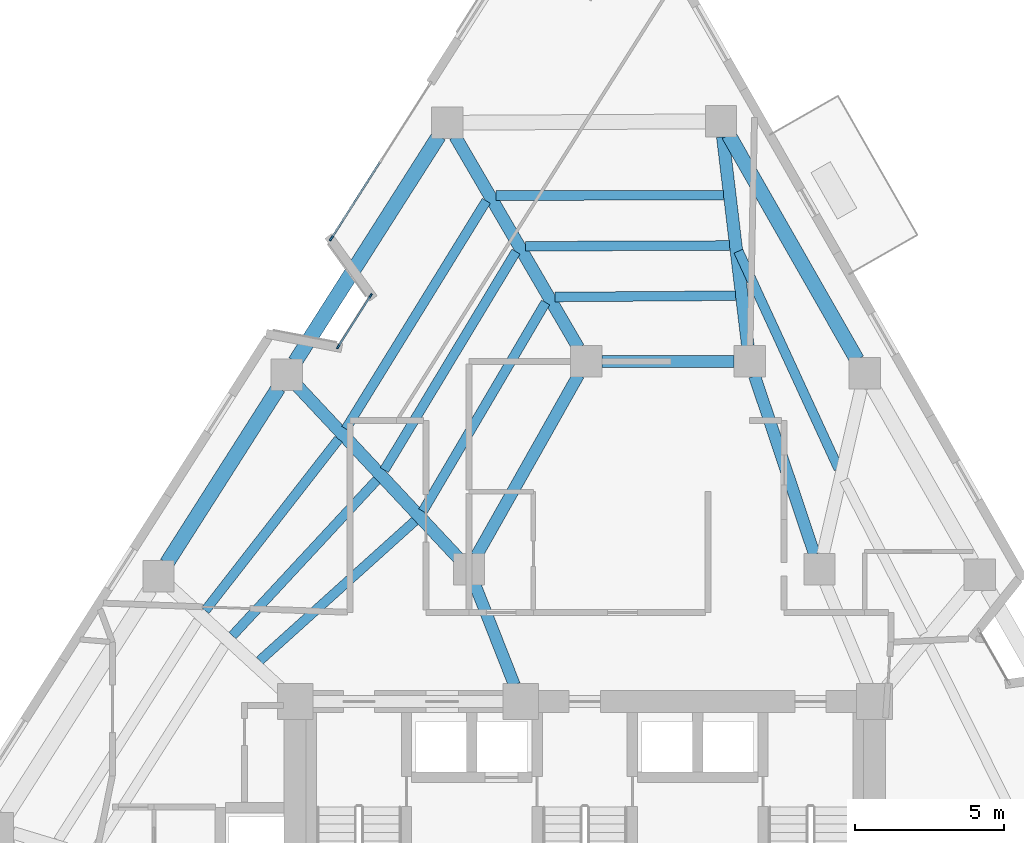
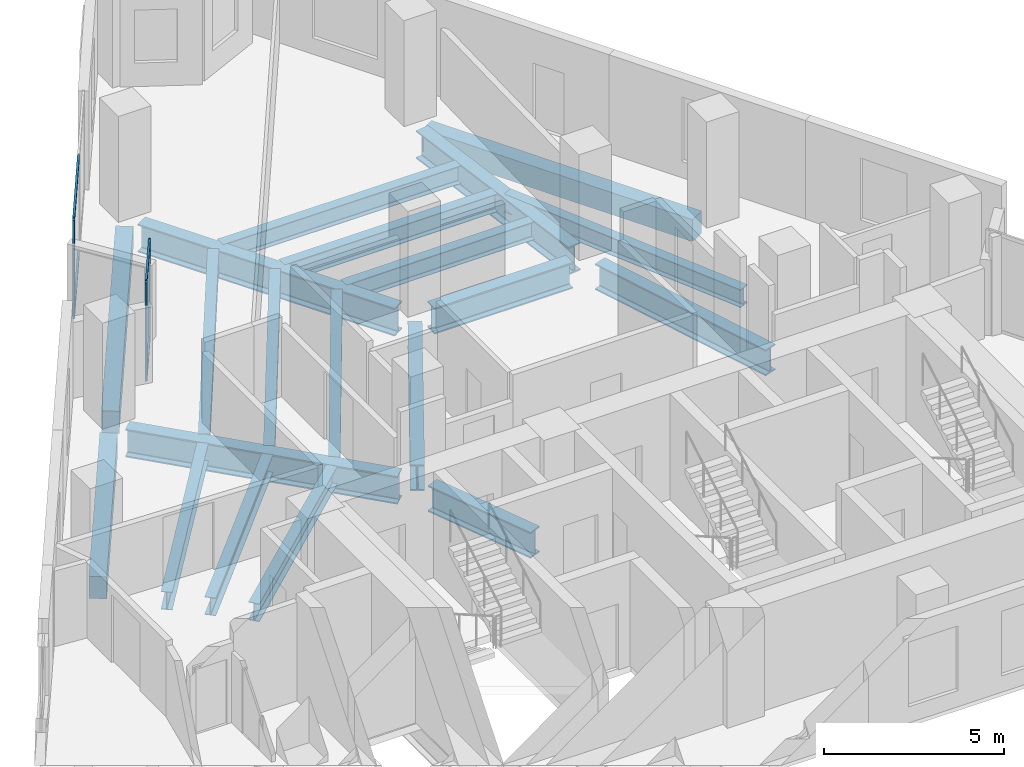
# One storey, part 3 of 12: 20 beams, 7 members, 2 elements without a shape of their own.
"""IFC4 building model written with IfcOpenShell, lengths in metres."""

from ifc_helpers import new_model, si_unit, direction, frame, origin, origin_2d, place, context, subcontext, project, spatial, rectangle, i_section, extrude, material, layer, layer_set, material_profile, profile_set, type_object, element, aggregate, save


model = new_model("IFC4")

# Units and contexts
model_context = context("Model", 3, precision=1e-05, world=origin(), true_north=direction((0.0, 1.0)))
body_context = subcontext(model_context, "Body", "Model", "MODEL_VIEW")
ifc_project = project(units=[si_unit("LENGTHUNIT", "METRE"), si_unit("AREAUNIT", "SQUARE_METRE"), si_unit("VOLUMEUNIT", "CUBIC_METRE"), si_unit("PLANEANGLEUNIT", "RADIAN"), si_unit("MASSUNIT", "GRAM", prefix="KILO")], contexts=[model_context])

# Site, building, storey
site_placement = place(None, origin())
site = spatial("IfcSite", under=ifc_project, at=site_placement, CompositionType="ELEMENT")
building_placement = place(site_placement, origin())
building = spatial("IfcBuilding", under=site, at=building_placement, Name="Almagre Mirador Tower", CompositionType="ELEMENT")
storey_placement = place(building_placement, frame((0.0, 0.0, 139.199951171875)))
storey = spatial("IfcBuildingStorey", under=building, at=storey_placement, Name="L35", CompositionType="ELEMENT", Elevation=139.199951171875)

# Beams
ifc_material_1 = material(Name="Steel ASTM A992 Grade 50", Category="steel")
ifc_material_profile_1 = material_profile(ifc_material_1, i_section(OverallWidth=0.323974609375, OverallDepth=0.611083984375, WebThickness=0.0126953125, FlangeThickness=0.01904296875, FilletRadius=0.02001953125, at=origin_2d()), Name="W24X104")
ifc_profile_set_1 = profile_set([ifc_material_profile_1], Name="Steel ASTM A992 Grade 50")
beam_type_1 = type_object("IfcBeamType", Name="BM-JST-W24X104", PredefinedType="JOIST", material=ifc_profile_set_1)
beam_1_placement = place(storey_placement, frame((45.8466796875, 22.5791015625, -0.555419921875), z_axis=(-0.418415123385, 0.908255902553, 0.0), x_axis=(-0.908255902553, -0.418415123385, 0.0)))
element("IfcBeam", 1, at=beam_1_placement, inside=storey, type_object=beam_type_1, Name="L35 secondary floor joist PC07-PC08.2", PredefinedType="JOIST", context=body_context, shape_type="SweptSolid", body=[
    extrude(i_section(OverallWidth=0.323974609375, OverallDepth=0.611083984375, WebThickness=0.0126953125, FlangeThickness=0.01904296875, FilletRadius=0.02001953125, at=origin_2d()), origin(), (0.0, 0.0, 1.0), 8.066650390625),
])
beam_2_placement = place(storey_placement, frame((41.968994140625, 31.785888671875, -0.555419921875), z_axis=(-0.999999707396, -0.000764988779, 0.0), x_axis=(0.000764988779, -0.999999707396, 0.0)))
element("IfcBeam", 2, at=beam_2_placement, inside=storey, type_object=beam_type_1, Name="L35 secondary floor joist PC08-PC09.1", PredefinedType="JOIST", context=body_context, shape_type="SweptSolid", body=[
    extrude(i_section(OverallWidth=0.323974609375, OverallDepth=0.611083984375, WebThickness=0.0126953125, FlangeThickness=0.01904296875, FilletRadius=0.02001953125, at=origin_2d()), origin(), (0.0, 0.0, 1.0), 7.659423828125),
])
beam_3_placement = place(storey_placement, frame((42.17138671875, 30.096923828125, -0.555419921875), z_axis=(-0.999993422774, -0.003626900726, 0.0), x_axis=(0.003626900726, -0.999993422774, 0.0)))
element("IfcBeam", 3, at=beam_3_placement, inside=storey, type_object=beam_type_1, Name="L35 secondary floor joist PC08-PC09.2", PredefinedType="JOIST", context=body_context, shape_type="SweptSolid", body=[
    extrude(i_section(OverallWidth=0.323974609375, OverallDepth=0.611083984375, WebThickness=0.0126953125, FlangeThickness=0.01904296875, FilletRadius=0.02001953125, at=origin_2d()), origin(), (0.0, 0.0, 1.0), 6.865966796875),
])
beam_4_placement = place(storey_placement, frame((42.373779296875, 28.407958984375, -0.555419921875), z_axis=(-0.999973815661, -0.007236573265, 0.0), x_axis=(0.007236573265, -0.999973815661, 0.0)))
element("IfcBeam", 4, at=beam_4_placement, inside=storey, type_object=beam_type_1, Name="L35 secondary floor joist PC08-PC09.3", PredefinedType="JOIST", context=body_context, shape_type="SweptSolid", body=[
    extrude(i_section(OverallWidth=0.323974609375, OverallDepth=0.611083984375, WebThickness=0.0126953125, FlangeThickness=0.01904296875, FilletRadius=0.02001953125, at=origin_2d()), origin(), (0.0, 0.0, 1.0), 6.07275390625),
])
beam_5_placement = place(storey_placement, frame((33.9873046875, 31.599853515625, -0.555419921875), z_axis=(-0.524733374032, -0.851266636358, 0.0), x_axis=(0.851266636358, -0.524733374032, 0.0)))
element("IfcBeam", 5, at=beam_5_placement, inside=storey, type_object=beam_type_1, Name="L35 secondary floor joist PC09-PC10.1", PredefinedType="JOIST", context=body_context, shape_type="SweptSolid", body=[
    extrude(i_section(OverallWidth=0.323974609375, OverallDepth=0.611083984375, WebThickness=0.0126953125, FlangeThickness=0.01904296875, FilletRadius=0.02001953125, at=origin_2d()), origin(), (0.0, 0.0, 1.0), 9.015380859375),
])
beam_6_placement = place(storey_placement, frame((34.98486328125, 29.889892578125, -0.555419921875), z_axis=(-0.516284925562, -0.85641688192, 0.0), x_axis=(0.85641688192, -0.516284925562, 0.0)))
element("IfcBeam", 6, at=beam_6_placement, inside=storey, type_object=beam_type_1, Name="L35 secondary floor joist PC09-PC10.2", PredefinedType="JOIST", context=body_context, shape_type="SweptSolid", body=[
    extrude(i_section(OverallWidth=0.323974609375, OverallDepth=0.611083984375, WebThickness=0.0126953125, FlangeThickness=0.01904296875, FilletRadius=0.02001953125, at=origin_2d()), origin(), (0.0, 0.0, 1.0), 8.583251953125),
])
beam_7_placement = place(storey_placement, frame((35.982666015625, 28.179931640625, -0.555419921875), z_axis=(-0.506949452093, -0.861975784476, 0.0), x_axis=(0.861975784476, -0.506949452093, 0.0)))
element("IfcBeam", 7, at=beam_7_placement, inside=storey, type_object=beam_type_1, Name="L35 secondary floor joist PC09-PC10.3", PredefinedType="JOIST", context=body_context, shape_type="SweptSolid", body=[
    extrude(i_section(OverallWidth=0.323974609375, OverallDepth=0.611083984375, WebThickness=0.0126953125, FlangeThickness=0.01904296875, FilletRadius=0.02001953125, at=origin_2d()), origin(), (0.0, 0.0, 1.0), 8.15234375),
])
beam_8_placement = place(storey_placement, frame((29.015869140625, 23.578369140625, -0.555419921875), z_axis=(-0.614273412144, -0.789093261366, 0.0), x_axis=(0.789093261366, -0.614273412144, 0.0)))
element("IfcBeam", 8, at=beam_8_placement, inside=storey, type_object=beam_type_1, Name="L35 secondary floor joist PC10-PC11.1", PredefinedType="JOIST", context=body_context, shape_type="SweptSolid", body=[
    extrude(i_section(OverallWidth=0.323974609375, OverallDepth=0.611083984375, WebThickness=0.0126953125, FlangeThickness=0.01904296875, FilletRadius=0.02001953125, at=origin_2d()), origin(), (0.0, 0.0, 1.0), 7.312255859375),
])
beam_9_placement = place(storey_placement, frame((30.30029296875, 22.202880859375, -0.555419921875), z_axis=(-0.680187499741, -0.733038174446, 0.0), x_axis=(0.733038174446, -0.680187499741, 0.0)))
element("IfcBeam", 9, at=beam_9_placement, inside=storey, type_object=beam_type_1, Name="L35 secondary floor joist PC10-PC11.2", PredefinedType="JOIST", context=body_context, shape_type="SweptSolid", body=[
    extrude(i_section(OverallWidth=0.323974609375, OverallDepth=0.611083984375, WebThickness=0.0126953125, FlangeThickness=0.01904296875, FilletRadius=0.02001953125, at=origin_2d()), origin(), (0.0, 0.0, 1.0), 7.1416015625),
])
beam_10_placement = place(storey_placement, frame((31.58544921875, 20.8291015625, -0.555419921875), z_axis=(-0.743221618639, -0.669045309069, 0.0), x_axis=(0.669045309069, -0.743221618639, 0.0)))
element("IfcBeam", 10, at=beam_10_placement, inside=storey, type_object=beam_type_1, Name="L35 secondary floor joist PC10-PC11.3", PredefinedType="JOIST", context=body_context, shape_type="SweptSolid", body=[
    extrude(i_section(OverallWidth=0.323974609375, OverallDepth=0.611083984375, WebThickness=0.0126953125, FlangeThickness=0.01904296875, FilletRadius=0.02001953125, at=origin_2d()), origin(), (0.0, 0.0, 1.0), 7.0302734375),
])
ifc_material_2 = material(Name="Precast concrete C50/60", Category="concrete")
ifc_material_profile_2 = material_profile(ifc_material_2, rectangle(XDim=0.5, YDim=0.75, at=origin_2d()), Name="RC500X750")
ifc_profile_set_2 = profile_set([ifc_material_profile_2], Name="Precast concrete C50/60")
beam_type_2 = type_object("IfcBeamType", Name="BM-SPN-RC500X750", PredefinedType="SPANDREL", material=ifc_profile_set_2)
beam_11_placement = place(storey_placement, frame((46.4619140625, 26.2529296875, -0.625), z_axis=(-0.495722514223, 0.868480966339, 0.0), x_axis=(-0.868480966339, -0.495722514223, 0.0)))
element("IfcBeam", 11, at=beam_11_placement, inside=storey, type_object=beam_type_2, Name="L35 perimeter spandrel beam PC07-PC08", PredefinedType="SPANDREL", context=body_context, shape_type="SweptSolid", body=[
    extrude(rectangle(XDim=0.5, YDim=0.75, at=origin_2d()), origin(), (0.0, 0.0, 1.0), 8.714111328125),
])
beam_12_placement = place(storey_placement, frame((32.389892578125, 33.7841796875, -0.625), z_axis=(-0.53711935681, -0.84350625163, 0.0), x_axis=(0.84350625163, -0.53711935681, 0.0)))
element("IfcBeam", 12, at=beam_12_placement, inside=storey, type_object=beam_type_2, Name="L35 perimeter spandrel beam PC09-PC10", PredefinedType="SPANDREL", context=body_context, shape_type="SweptSolid", body=[
    extrude(rectangle(XDim=0.5, YDim=0.75, at=origin_2d()), origin(), (0.0, 0.0, 1.0), 9.00341796875),
])
beam_13_placement = place(storey_placement, frame((26.989990234375, 25.30419921875, -0.625), z_axis=(-0.537135259931, -0.843496124792, 0.0), x_axis=(0.843496124792, -0.537135259931, 0.0)))
element("IfcBeam", 13, at=beam_13_placement, inside=storey, type_object=beam_type_2, Name="L35 perimeter spandrel beam PC10-PC11", PredefinedType="SPANDREL", context=body_context, shape_type="SweptSolid", body=[
    extrude(rectangle(XDim=0.5, YDim=0.75, at=origin_2d()), origin(), (0.0, 0.0, 1.0), 6.992919921875),
])
ifc_material_3 = material(Name="Steel ASTM A992 Grade 50", Category="steel")
ifc_material_profile_3 = material_profile(ifc_material_3, i_section(OverallWidth=0.404052734375, OverallDepth=0.884033203125, WebThickness=0.0244140625, FlangeThickness=0.0439453125, FilletRadius=0.02490234375, at=origin_2d()), Name="W33X291")
ifc_profile_set_3 = profile_set([ifc_material_profile_3], Name="Steel ASTM A992 Grade 50")
beam_type_3 = type_object("IfcBeamType", Name="BM-STL-W33X291", PredefinedType="BEAM", material=ifc_profile_set_3)
beam_14_placement = place(storey_placement, frame((37.875, 26.199951171875, -0.69189453125), z_axis=(1.0, 0.0, 0.0), x_axis=(0.0, 1.0, 0.0)))
element("IfcBeam", 14, at=beam_14_placement, inside=storey, type_object=beam_type_3, Name="L35 core tie girder MC7-MC6", PredefinedType="BEAM", context=body_context, shape_type="SweptSolid", body=[
    extrude(i_section(OverallWidth=0.404052734375, OverallDepth=0.884033203125, WebThickness=0.0244140625, FlangeThickness=0.0439453125, FilletRadius=0.02490234375, at=origin_2d()), origin(), (0.0, 0.0, 1.0), 4.449951171875),
])
beam_15_placement = place(storey_placement, frame((43.01708984375, 25.702392578125, -0.69189453125), z_axis=(0.318262189587, -0.948002731367, 0.0), x_axis=(0.948002731367, 0.318262189587, 0.0)))
element("IfcBeam", 15, at=beam_15_placement, inside=storey, type_object=beam_type_3, Name="L35 core tie girder MC6-MC5", PredefinedType="BEAM", context=body_context, shape_type="SweptSolid", body=[
    extrude(i_section(OverallWidth=0.404052734375, OverallDepth=0.884033203125, WebThickness=0.0244140625, FlangeThickness=0.0439453125, FilletRadius=0.02490234375, at=origin_2d()), origin(), (0.0, 0.0, 1.0), 6.333984375),
])
beam_16_placement = place(storey_placement, frame((37.092041015625, 25.742919921875, -0.69189453125), z_axis=(-0.491443510044, -0.870909453638, 0.0), x_axis=(0.870909453638, -0.491443510044, 0.0)))
element("IfcBeam", 16, at=beam_16_placement, inside=storey, type_object=beam_type_3, Name="L35 core tie girder MC7-MC8", PredefinedType="BEAM", context=body_context, shape_type="SweptSolid", body=[
    extrude(i_section(OverallWidth=0.404052734375, OverallDepth=0.884033203125, WebThickness=0.0244140625, FlangeThickness=0.0439453125, FilletRadius=0.02490234375, at=origin_2d()), origin(), (0.0, 0.0, 1.0), 6.98779296875),
])
beam_17_placement = place(storey_placement, frame((33.592041015625, 18.71142578125, -0.69189453125), z_axis=(0.365997304164, -0.930615910752, 0.0), x_axis=(0.930615910752, 0.365997304164, 0.0)))
element("IfcBeam", 17, at=beam_17_placement, inside=storey, type_object=beam_type_3, Name="L35 core tie girder MC8-CC5", PredefinedType="BEAM", context=body_context, shape_type="SweptSolid", body=[
    extrude(i_section(OverallWidth=0.404052734375, OverallDepth=0.884033203125, WebThickness=0.0244140625, FlangeThickness=0.0439453125, FilletRadius=0.02490234375, at=origin_2d()), origin(), (0.0, 0.0, 1.0), 3.65673828125),
])
ifc_material_4 = material(Name="Steel ASTM A992 Grade 50", Category="steel")
ifc_material_profile_4 = material_profile(ifc_material_4, i_section(OverallWidth=0.423095703125, OverallDepth=0.947998046875, WebThickness=0.02392578125, FlangeThickness=0.042724609375, FilletRadius=0.028076171875, at=origin_2d()), Name="W36X302")
ifc_profile_set_4 = profile_set([ifc_material_profile_4], Name="Steel ASTM A992 Grade 50")
beam_type_4 = type_object("IfcBeamType", Name="BM-STL-W36X302", PredefinedType="BEAM", material=ifc_profile_set_4)
beam_18_placement = place(storey_placement, frame((41.944580078125, 33.755615234375, -0.723876953125), z_axis=(0.118990312316, -0.992895415225, 0.0), x_axis=(0.992895415225, 0.118990312316, 0.0)))
element("IfcBeam", 18, at=beam_18_placement, inside=storey, type_object=beam_type_4, Name="L35 radial floor girder PC08-MC6", PredefinedType="BEAM", context=body_context, shape_type="SweptSolid", body=[
    extrude(i_section(OverallWidth=0.423095703125, OverallDepth=0.947998046875, WebThickness=0.02392578125, FlangeThickness=0.042724609375, FilletRadius=0.028076171875, at=origin_2d()), origin(), (0.0, 0.0, 1.0), 7.084716796875),
])
beam_19_placement = place(storey_placement, frame((32.936279296875, 33.7734375, -0.723876953125), z_axis=(0.503522841175, -0.863981914403, 0.0), x_axis=(0.863981914403, 0.503522841175, 0.0)))
element("IfcBeam", 19, at=beam_19_placement, inside=storey, type_object=beam_type_4, Name="L35 radial floor girder PC09-MC7", PredefinedType="BEAM", context=body_context, shape_type="SweptSolid", body=[
    extrude(i_section(OverallWidth=0.423095703125, OverallDepth=0.947998046875, WebThickness=0.02392578125, FlangeThickness=0.042724609375, FilletRadius=0.028076171875, at=origin_2d()), origin(), (0.0, 0.0, 1.0), 8.24072265625),
])
beam_20_placement = place(storey_placement, frame((27.630859375, 25.36376953125, -0.723876953125), z_axis=(0.683347013073, -0.730093733519, 0.0), x_axis=(0.730093733519, 0.683347013073, 0.0)))
element("IfcBeam", 20, at=beam_20_placement, inside=storey, type_object=beam_type_4, Name="L35 radial floor girder PC10-MC8", PredefinedType="BEAM", context=body_context, shape_type="SweptSolid", body=[
    extrude(i_section(OverallWidth=0.423095703125, OverallDepth=0.947998046875, WebThickness=0.02392578125, FlangeThickness=0.042724609375, FilletRadius=0.028076171875, at=origin_2d()), origin(), (0.0, 0.0, 1.0), 7.91748046875),
])

# Curtain wall, members
ifc_material_5 = material(Name="Black anodized aluminium", Category="aluminium")
ifc_layer_1 = layer(ifc_material_5, 0.169921875)
ifc_layer_set_1 = layer_set([ifc_layer_1], Name="Black anodized aluminium")
curtain_wall_type_1 = type_object("IfcCurtainWallType", Name="CW-CRS-SYS", PredefinedType="NOTDEFINED", material=ifc_layer_set_1)
curtain_wall_1_placement = place(storey_placement, origin())
curtain_wall_1 = element("IfcCurtainWall", 21, at=curtain_wall_1_placement, inside=storey, type_object=curtain_wall_type_1, Name="L35 vertical crease curtain wall 01", PredefinedType="NOTDEFINED")
ifc_material_6 = material(Name="Black anodized aluminium", Category="aluminium")
ifc_material_profile_5 = material_profile(ifc_material_6, rectangle(XDim=0.06005859375, YDim=0.14990234375, at=origin_2d()), Name="CWM60X150")
ifc_profile_set_5 = profile_set([ifc_material_profile_5], Name="Black anodized aluminium")
member_type_1 = type_object("IfcMemberType", Name="MBR-CWM60X150", PredefinedType="MULLION", material=ifc_profile_set_5)
member_1_placement = place(storey_placement, frame((29.001220703125, 26.693359375, 0.0), z_axis=(0.0, 0.0, 1.0), x_axis=(-0.84364178314, 0.536906455298, 0.0)))
member_1 = element("IfcMember", 22, at=member_1_placement, type_object=member_type_1, Name="CW-4 mullion 1", PredefinedType="MULLION", context=body_context, shape_type="SweptSolid", body=[
    extrude(rectangle(XDim=0.06005859375, YDim=0.14990234375, at=origin_2d()), origin(), (0.0, 0.0, 1.0), 3.35009765625),
])
member_2_placement = place(storey_placement, frame((30.0908203125, 28.40576171875, 0.0), z_axis=(0.0, 0.0, 1.0), x_axis=(-0.84364178314, 0.536906455298, 0.0)))
member_2 = element("IfcMember", 23, at=member_2_placement, type_object=member_type_1, Name="CW-4 mullion 2", PredefinedType="MULLION", context=body_context, shape_type="SweptSolid", body=[
    extrude(rectangle(XDim=0.06005859375, YDim=0.14990234375, at=origin_2d()), origin(), (0.0, 0.0, 1.0), 3.35009765625),
])

# Curtain wall, member
ifc_material_7 = material(Name="Black anodized aluminium", Category="aluminium")
ifc_layer_2 = layer(ifc_material_7, 0.199951171875)
ifc_layer_set_2 = layer_set([ifc_layer_2], Name="Black anodized aluminium")
curtain_wall_type_2 = type_object("IfcCurtainWallType", Name="CW-RES-H-SYS", PredefinedType="NOTDEFINED", material=ifc_layer_set_2)
curtain_wall_2_placement = place(storey_placement, origin())
curtain_wall_2 = element("IfcCurtainWall", 24, at=curtain_wall_2_placement, inside=storey, type_object=curtain_wall_type_2, Name="L35 curtain wall run 02", PredefinedType="NOTDEFINED")
ifc_material_8 = material(Name="Black anodized aluminium", Category="aluminium")
ifc_material_profile_6 = material_profile(ifc_material_8, rectangle(XDim=0.06494140625, YDim=0.179931640625, at=origin_2d()), Name="CWM65X180")
ifc_profile_set_6 = profile_set([ifc_material_profile_6], Name="Black anodized aluminium")
member_type_2 = type_object("IfcMemberType", Name="MBR-CWM65X180", PredefinedType="MULLION", material=ifc_profile_set_6)
member_3_placement = place(storey_placement, frame((28.7705078125, 30.33447265625, 0.0), z_axis=(0.0, 0.0, 1.0), x_axis=(-0.843512869076, 0.53710896446, 0.0)))
member_3 = element("IfcMember", 25, at=member_3_placement, type_object=member_type_2, Name="CW-3 mullion 1", PredefinedType="MULLION", context=body_context, shape_type="SweptSolid", body=[
    extrude(rectangle(XDim=0.06494140625, YDim=0.179931640625, at=origin_2d()), origin(), (0.0, 0.0, 1.0), 3.35009765625),
])

# Member
ifc_material_9 = material(Name="Black anodized aluminium", Category="aluminium")
ifc_material_profile_7 = material_profile(ifc_material_9, rectangle(XDim=0.06005859375, YDim=0.1298828125, at=origin_2d()), Name="CWT60X130")
ifc_profile_set_7 = profile_set([ifc_material_profile_7], Name="Black anodized aluminium")
member_type_3 = type_object("IfcMemberType", Name="MBR-CWT60X130", PredefinedType="USERDEFINED", material=ifc_profile_set_7)
member_4_placement = place(storey_placement, frame((29.017333984375, 26.718505859375, 0.030029296875), z_axis=(0.536811330214, 0.843702314655, 0.0), x_axis=(-0.843702314655, 0.536811330214, 0.0)))
member_4 = element("IfcMember", 26, at=member_4_placement, type_object=member_type_3, Name="CW-4 transom 1.1", ObjectType="TRANSOM", PredefinedType="USERDEFINED", context=body_context, shape_type="SweptSolid", body=[
    extrude(rectangle(XDim=0.06005859375, YDim=0.1298828125, at=origin_2d()), origin(), (0.0, 0.0, 1.0), 1.9697265625),
])

member_5_placement = place(storey_placement, frame((29.017333984375, 26.718505859375, 3.320068359375), z_axis=(0.536811330214, 0.843702314655, 0.0), x_axis=(-0.843702314655, 0.536811330214, 0.0)))
member_5 = element("IfcMember", 27, at=member_5_placement, type_object=member_type_3, Name="CW-4 transom 1.2", ObjectType="TRANSOM", PredefinedType="USERDEFINED", context=body_context, shape_type="SweptSolid", body=[
    extrude(rectangle(XDim=0.06005859375, YDim=0.1298828125, at=origin_2d()), origin(), (0.0, 0.0, 1.0), 1.9697265625),
])

aggregate(curtain_wall_1, [member_1, member_2, member_4, member_5])

ifc_material_10 = material(Name="Black anodized aluminium", Category="aluminium")
ifc_material_profile_8 = material_profile(ifc_material_10, rectangle(XDim=0.06494140625, YDim=0.14990234375, at=origin_2d()), Name="CWT65X150")
ifc_profile_set_8 = profile_set([ifc_material_profile_8], Name="Black anodized aluminium")
member_type_4 = type_object("IfcMemberType", Name="MBR-CWT65X150", PredefinedType="USERDEFINED", material=ifc_profile_set_8)
member_6_placement = place(storey_placement, frame((28.787841796875, 30.36181640625, 0.032470703125), z_axis=(0.537136985757, 0.84349502579, 0.0), x_axis=(-0.84349502579, 0.537136985757, 0.0)))
member_6 = element("IfcMember", 28, at=member_6_placement, type_object=member_type_4, Name="CW-3 transom 1.1", ObjectType="TRANSOM", PredefinedType="USERDEFINED", context=body_context, shape_type="SweptSolid", body=[
    extrude(rectangle(XDim=0.06494140625, YDim=0.14990234375, at=origin_2d()), origin(), (0.0, 0.0, 1.0), 3.020263671875),
])

member_7_placement = place(storey_placement, frame((28.787841796875, 30.36181640625, 3.317626953125), z_axis=(0.537136985757, 0.84349502579, 0.0), x_axis=(-0.84349502579, 0.537136985757, 0.0)))
member_7 = element("IfcMember", 29, at=member_7_placement, type_object=member_type_4, Name="CW-3 transom 1.2", ObjectType="TRANSOM", PredefinedType="USERDEFINED", context=body_context, shape_type="SweptSolid", body=[
    extrude(rectangle(XDim=0.06494140625, YDim=0.14990234375, at=origin_2d()), origin(), (0.0, 0.0, 1.0), 3.020263671875),
])

aggregate(curtain_wall_2, [member_3, member_6, member_7])

save(model, "model.ifc")
